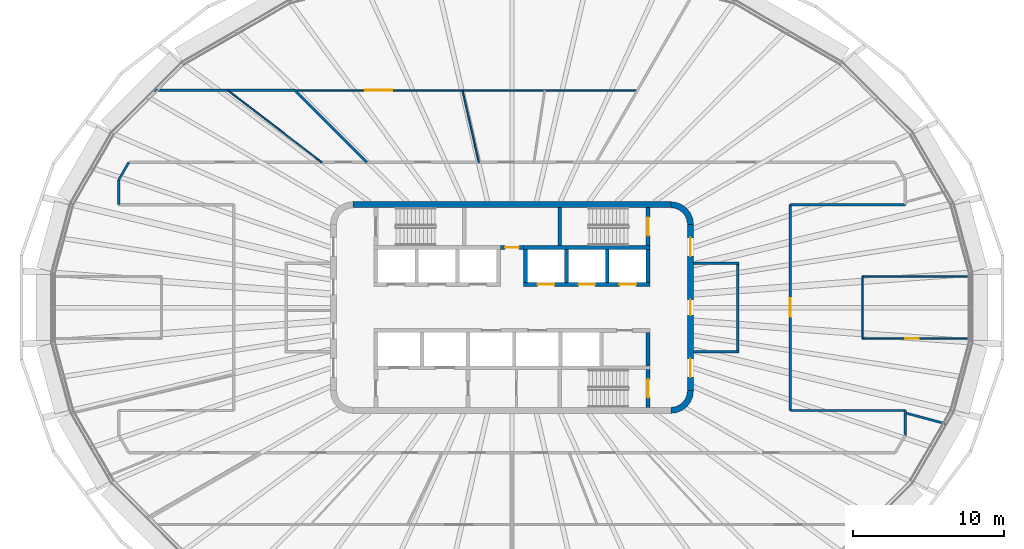
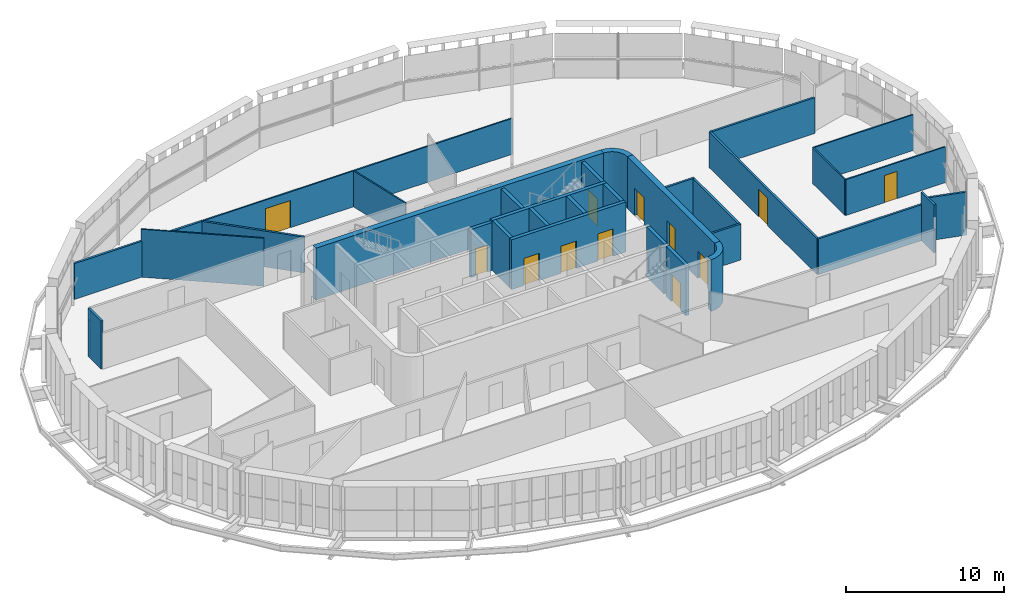
# One storey, part 11 of 19: 33 walls, 12 doors, 12 openings.
"""IFC4 building model written with IfcOpenShell, lengths in metres."""

from ifc_helpers import new_model, si_unit, direction, frame, frame_2d, origin, place, context, subcontext, project, spatial, polyline, rectangle, outline, extrude, material, layer, layer_set, type_object, element, fill, save


model = new_model("IFC4")

# Units and contexts
model_context = context("Model", 3, precision=1e-05, world=origin(), true_north=direction((0.0, 1.0)))
body_context = subcontext(model_context, "Body", "Model", "MODEL_VIEW")
ifc_project = project(units=[si_unit("LENGTHUNIT", "METRE"), si_unit("AREAUNIT", "SQUARE_METRE"), si_unit("VOLUMEUNIT", "CUBIC_METRE"), si_unit("PLANEANGLEUNIT", "RADIAN"), si_unit("MASSUNIT", "GRAM", prefix="KILO")], contexts=[model_context])

# Site, building, storey
site_placement = place(None, origin())
site = spatial("IfcSite", under=ifc_project, at=site_placement, CompositionType="ELEMENT")
building_placement = place(site_placement, origin())
building = spatial("IfcBuilding", under=site, at=building_placement, Name="Sahrelin Media Tower", CompositionType="ELEMENT")
storey_placement = place(building_placement, frame((0.0, 0.0, 241.60009765625)))
storey = spatial("IfcBuildingStorey", under=building, at=storey_placement, Name="L52", CompositionType="ELEMENT", Elevation=241.60009765625)

# Wall
ifc_material_1 = material(Name="Concrete C60/75", Category="concrete")
ifc_layer_1 = layer(ifc_material_1, 0.39990234375)
ifc_layer_set_1 = layer_set([ifc_layer_1], Name="Core wall 400")
wall_type_1 = type_object("IfcWallType", Name="Core wall 400", PredefinedType="SHEAR", material=ifc_layer_set_1)
wall_1_placement = place(storey_placement, frame((-10.5, 6.800048828125, 0.0), z_axis=(0.0, 0.0, 1.0), x_axis=(1.0, 0.0, 0.0)))
element("IfcWall", 1, at=wall_1_placement, inside=storey, type_object=wall_type_1, Name="Core wall N L52", PredefinedType="SHEAR", context=body_context, shape_type="SweptSolid", body=[
    extrude(rectangle(XDim=21.0, YDim=0.39990234375, at=frame_2d((10.5, 0.0))), origin(), (0.0, 0.0, 1.0), 4.0),
])

# Wall, openings, doors
wall_2_placement = place(storey_placement, frame((11.800048828125, -5.5, 0.0), z_axis=(0.0, 0.0, 1.0), x_axis=(0.0, 1.0, 0.0)))
wall_2 = element("IfcWall", 2, at=wall_2_placement, inside=storey, type_object=wall_type_1, Name="Core wall E L52", PredefinedType="SHEAR", context=body_context, shape_type="SweptSolid", body=[
    extrude(rectangle(XDim=11.0, YDim=0.39990234375, at=frame_2d((5.5, 0.0))), origin(), (0.0, 0.0, 1.0), 4.0),
])
opening_1_placement = place(wall_2_placement, frame((5.0, 0.0, 0.0)))
opening_1 = element("IfcOpeningElement", 3, at=opening_1_placement, cuts=wall_2, Name="Opening L52-D11", PredefinedType="OPENING", context=body_context, shape_type="SweptSolid", body=[
    extrude(rectangle(XDim=1.0, YDim=2.10009765625, at=frame_2d((0.5, 1.050048828125))), frame((0.0, 0.199951171875, 0.0), z_axis=(0.0, -1.0, 0.0), x_axis=(1.0, 0.0, 0.0)), (0.0, 0.0, 1.0), 0.39990234375),
])
opening_2_placement = place(wall_2_placement, frame((0.89990234375, 0.0, 0.0)))
opening_2 = element("IfcOpeningElement", 4, at=opening_2_placement, cuts=wall_2, Name="Opening L52-D14", PredefinedType="OPENING", context=body_context, shape_type="SweptSolid", body=[
    extrude(rectangle(XDim=1.199951171875, YDim=2.10009765625, at=frame_2d((0.60009765625, 1.050048828125))), frame((0.0, 0.199951171875, 0.0), z_axis=(0.0, -1.0, 0.0), x_axis=(1.0, 0.0, 0.0)), (0.0, 0.0, 1.0), 0.39990234375),
])
opening_3_placement = place(wall_2_placement, frame((8.89990234375, 0.0, 0.0)))
opening_3 = element("IfcOpeningElement", 5, at=opening_3_placement, cuts=wall_2, Name="Opening L52-D15", PredefinedType="OPENING", context=body_context, shape_type="SweptSolid", body=[
    extrude(rectangle(XDim=1.199951171875, YDim=2.10009765625, at=frame_2d((0.60009765625, 1.050048828125))), frame((0.0, 0.199951171875, 0.0), z_axis=(0.0, -1.0, 0.0), x_axis=(1.0, 0.0, 0.0)), (0.0, 0.0, 1.0), 0.39990234375),
])
ifc_material_2 = material(Name="Steel fire door leaf", Category="steel")
door_type_1 = type_object("IfcDoorType", Name="Fire door 1000 x 2100 EI 60", OperationType="NOTDEFINED", PredefinedType="DOOR", material=ifc_material_2)
door_1_placement = place(opening_1_placement, origin())
door_1 = element("IfcDoor", 6, at=door_1_placement, inside=storey, type_object=door_type_1, Name="Core room door", OperationType="SINGLE_SWING_RIGHT", OverallHeight=2.10009765625, OverallWidth=1.0, PredefinedType="DOOR", context=body_context, shape_type="SweptSolid", body=[
    extrude(rectangle(XDim=1.0, YDim=2.10009765625, at=frame_2d((0.5, 1.050048828125))), frame((0.0, 0.02490234375, 0.0), z_axis=(0.0, -1.0, 0.0), x_axis=(1.0, 0.0, 0.0)), (0.0, 0.0, 1.0), 0.050048828125),
])
fill(opening_1, door_1)
door_type_2 = type_object("IfcDoorType", Name="Lobby door 1200 x 2100 EI 60", OperationType="NOTDEFINED", PredefinedType="DOOR", material=ifc_material_2)
door_2_placement = place(opening_2_placement, origin())
door_2 = element("IfcDoor", 7, at=door_2_placement, inside=storey, type_object=door_type_2, Name="Lobby door", OperationType="SINGLE_SWING_LEFT", OverallHeight=2.10009765625, OverallWidth=1.199951171875, PredefinedType="DOOR", context=body_context, shape_type="SweptSolid", body=[
    extrude(rectangle(XDim=1.199951171875, YDim=2.10009765625, at=frame_2d((0.60009765625, 1.050048828125))), frame((0.0, 0.02490234375, 0.0), z_axis=(0.0, -1.0, 0.0), x_axis=(1.0, 0.0, 0.0)), (0.0, 0.0, 1.0), 0.050048828125),
])
fill(opening_2, door_2)
door_3_placement = place(opening_3_placement, origin())
door_3 = element("IfcDoor", 8, at=door_3_placement, inside=storey, type_object=door_type_2, Name="Lobby door", OperationType="SINGLE_SWING_LEFT", OverallHeight=2.10009765625, OverallWidth=1.199951171875, PredefinedType="DOOR", context=body_context, shape_type="SweptSolid", body=[
    extrude(rectangle(XDim=1.199951171875, YDim=2.10009765625, at=frame_2d((0.60009765625, 1.050048828125))), frame((0.0, 0.02490234375, 0.0), z_axis=(0.0, -1.0, 0.0), x_axis=(1.0, 0.0, 0.0)), (0.0, 0.0, 1.0), 0.050048828125),
])
fill(opening_3, door_3)

# Walls
placement = place(storey_placement, origin())
element("IfcWall", 9, at=placement, inside=storey, type_object=wall_type_1, Name="Core wall corner NE L52", PredefinedType="SHEAR", context=body_context, shape_type="SweptSolid", body=[
    extrude(outline(polyline([(10.5, 7.0), (10.5, 6.596435546875), (10.78369140625, 6.55908203125), (11.04833984375, 6.44970703125), (11.275390625, 6.275390625), (11.44970703125, 6.04833984375), (11.55908203125, 5.78369140625), (11.596435546875, 5.5), (12.0, 5.5), (11.948974609375, 5.88818359375), (11.799072265625, 6.25), (11.560791015625, 6.560791015625), (11.25, 6.799072265625), (10.88818359375, 6.948974609375), (10.5, 7.0)])), origin(), (0.0, 0.0, 1.0), 4.0),
])
element("IfcWall", 10, at=placement, inside=storey, type_object=wall_type_1, Name="Core wall corner SE L52", PredefinedType="SHEAR", context=body_context, shape_type="SweptSolid", body=[
    extrude(outline(polyline([(12.0, -5.5), (11.596435546875, -5.5), (11.55908203125, -5.78369140625), (11.44970703125, -6.04833984375), (11.275390625, -6.275390625), (11.04833984375, -6.44970703125), (10.78369140625, -6.55908203125), (10.5, -6.596435546875), (10.5, -7.0), (10.88818359375, -6.948974609375), (11.25, -6.799072265625), (11.560791015625, -6.560791015625), (11.799072265625, -6.25), (11.948974609375, -5.88818359375), (12.0, -5.5)])), origin(), (0.0, 0.0, 1.0), 4.0),
])

# Wall, opening, door
ifc_material_3 = material(Name="Fire-rated gypsum board partition")
ifc_layer_2 = layer(ifc_material_3, 0.25)
ifc_layer_set_2 = layer_set([ifc_layer_2], Name="Fire-rated lobby wall 250")
wall_type_2 = type_object("IfcWallType", Name="Fire-rated lobby wall 250", PredefinedType="PARTITIONING", material=ifc_layer_set_2)
wall_5_placement = place(storey_placement, frame((-0.77490234375, 3.97509765625, 0.0), z_axis=(0.0, 0.0, 1.0), x_axis=(1.0, 0.0, 0.0)))
wall_5 = element("IfcWall", 11, at=wall_5_placement, inside=storey, type_object=wall_type_2, Name="Core lobby wall", PredefinedType="PARTITIONING", context=body_context, shape_type="SweptSolid", body=[
    extrude(rectangle(XDim=1.5498046875, YDim=0.25, at=frame_2d((0.77490234375, 0.0))), origin(), (0.0, 0.0, 1.0), 3.699951171875),
])
opening_4_placement = place(wall_5_placement, frame((0.324951171875, 0.0, 0.0)))
opening_4 = element("IfcOpeningElement", 12, at=opening_4_placement, cuts=wall_5, Name="Opening L52-D06", PredefinedType="OPENING", context=body_context, shape_type="SweptSolid", body=[
    extrude(rectangle(XDim=0.89990234375, YDim=2.10009765625, at=frame_2d((0.449951171875, 1.050048828125))), frame((0.0, 0.125, 0.0), z_axis=(0.0, -1.0, 0.0), x_axis=(1.0, 0.0, 0.0)), (0.0, 0.0, 1.0), 0.25),
])
door_type_3 = type_object("IfcDoorType", Name="Riser door 900 x 2100 EI 120", OperationType="NOTDEFINED", PredefinedType="DOOR", material=ifc_material_2)
door_4_placement = place(opening_4_placement, origin())
door_4 = element("IfcDoor", 13, at=door_4_placement, inside=storey, type_object=door_type_3, Name="Core room door", OperationType="SINGLE_SWING_LEFT", OverallHeight=2.10009765625, OverallWidth=0.89990234375, PredefinedType="DOOR", context=body_context, shape_type="SweptSolid", body=[
    extrude(rectangle(XDim=0.89990234375, YDim=2.10009765625, at=frame_2d((0.449951171875, 1.050048828125))), frame((0.0, 0.02490234375, 0.0), z_axis=(0.0, -1.0, 0.0), x_axis=(1.0, 0.0, 0.0)), (0.0, 0.0, 1.0), 0.050048828125),
])
fill(opening_4, door_4)

# Walls
ifc_layer_3 = layer(ifc_material_3, 0.14990234375)
ifc_layer_set_3 = layer_set([ifc_layer_3], Name="Fire-rated partition 150")
wall_type_3 = type_object("IfcWallType", Name="Fire-rated partition 150", PredefinedType="PARTITIONING", material=ifc_layer_set_3)
wall_6_placement = place(storey_placement, frame((14.925048828125, -2.85009765625, 0.0), z_axis=(0.0, 0.0, 1.0), x_axis=(0.0, 1.0, 0.0)))
element("IfcWall", 14, at=wall_6_placement, inside=storey, type_object=wall_type_3, Name="Core room fire partition", PredefinedType="PARTITIONING", context=body_context, shape_type="SweptSolid", body=[
    extrude(rectangle(XDim=5.7001953125, YDim=0.14990234375, at=frame_2d((2.85009765625, 0.0))), origin(), (0.0, 0.0, 1.0), 2.76806640625),
])
for number, where, z_axis, x_axis, name in (
    (15, (12.0, 2.925048828125, 0.0), (0.0, 0.0, 1.0), (1.0, 0.0, 0.0), "Core room fire partition"),
    (16, (12.0, -2.925048828125, 0.0), (0.0, 0.0, 1.0), (1.0, 0.0, 0.0), "Core room fire partition"),
):
    element("IfcWall", number, at=place(storey_placement, frame(where, z_axis=z_axis, x_axis=x_axis)), inside=storey, type_object=wall_type_3, Name=name, PredefinedType="PARTITIONING", context=body_context, shape_type="SweptSolid", body=[
        extrude(rectangle(XDim=3.0, YDim=0.14990234375, at=frame_2d((1.5, 0.0))), origin(), (0.0, 0.0, 1.0), 2.76806640625),
    ])
wall_7_placement = place(storey_placement, frame((-14.360107421875, 14.360107421875, 0.0), z_axis=(0.0, 0.0, 1.0), x_axis=(0.707106781187, -0.707106781187, 0.0)))
element("IfcWall", 17, at=wall_7_placement, inside=storey, type_object=wall_type_3, Name="Wall", PredefinedType="PARTITIONING", context=body_context, shape_type="SweptSolid", body=[
    extrude(rectangle(XDim=6.731689453125, YDim=0.14990234375, at=frame_2d((3.36572265625, 0.0))), origin(), (0.0, 0.0, 1.0), 2.76806640625),
])
wall_8_placement = place(storey_placement, frame((26.0, -6.967041015625, 0.0), z_axis=(0.0, 0.0, 1.0), x_axis=(0.965928451997, -0.258809245628, 0.0)))
element("IfcWall", 18, at=wall_8_placement, inside=storey, type_object=wall_type_3, Name="Wall", PredefinedType="PARTITIONING", context=body_context, shape_type="SweptSolid", body=[
    extrude(rectangle(XDim=2.835693359375, YDim=0.14990234375, at=frame_2d((1.41796875, 0.0))), origin(), (0.0, 0.0, 1.0), 3.324951171875),
])
for number, where, z_axis, x_axis, name in (
    (19, (18.39990234375, -6.800048828125, 0.0), (0.0, 0.0, 1.0), (1.0, 0.0, 0.0), "Wall"),
    (20, (18.39990234375, 6.800048828125, 0.0), (0.0, 0.0, 1.0), (1.0, 0.0, 0.0), "Wall"),
):
    element("IfcWall", number, at=place(storey_placement, frame(where, z_axis=z_axis, x_axis=x_axis)), inside=storey, type_object=wall_type_3, Name=name, PredefinedType="PARTITIONING", context=body_context, shape_type="SweptSolid", body=[
        extrude(rectangle(XDim=7.60009765625, YDim=0.14990234375, at=frame_2d((3.800048828125, 0.0))), origin(), (0.0, 0.0, 1.0), 2.76806640625),
    ])
wall_9_placement = place(storey_placement, frame((-23.7099609375, 14.360107421875, 0.0), z_axis=(0.0, 0.0, 1.0), x_axis=(1.0, 0.0, 0.0)))
element("IfcWall", 21, at=wall_9_placement, inside=storey, type_object=wall_type_3, Name="Wall", PredefinedType="PARTITIONING", context=body_context, shape_type="SweptSolid", body=[
    extrude(rectangle(XDim=9.349853515625, YDim=0.14990234375, at=frame_2d((4.6748046875, 0.0))), origin(), (0.0, 0.0, 1.0), 2.76806640625),
])
wall_10_placement = place(storey_placement, frame((-26.0, 8.445068359375, 0.0), z_axis=(0.0, 0.0, 1.0), x_axis=(0.500076310463, 0.865981341435, 0.0)))
element("IfcWall", 22, at=wall_10_placement, inside=storey, type_object=wall_type_3, Name="Wall", PredefinedType="PARTITIONING", context=body_context, shape_type="SweptSolid", body=[
    extrude(rectangle(XDim=1.333740234375, YDim=0.14990234375, at=frame_2d((0.6669921875, 0.0))), origin(), (0.0, 0.0, 1.0), 2.76806640625),
])
wall_11_placement = place(storey_placement, frame((26.0, -8.445068359375, 0.0), z_axis=(0.0, 0.0, 1.0), x_axis=(0.0, 1.0, 0.0)))
element("IfcWall", 23, at=wall_11_placement, inside=storey, type_object=wall_type_3, Name="Wall", PredefinedType="PARTITIONING", context=body_context, shape_type="SweptSolid", body=[
    extrude(rectangle(XDim=1.64501953125, YDim=0.14990234375, at=frame_2d((0.822509765625, 0.0))), origin(), (0.0, 0.0, 1.0), 3.699951171875),
])

# Wall, opening, door
wall_12_placement = place(storey_placement, frame((18.39990234375, -6.800048828125, 0.0), z_axis=(0.0, 0.0, 1.0), x_axis=(0.0, 1.0, 0.0)))
wall_12 = element("IfcWall", 24, at=wall_12_placement, inside=storey, type_object=wall_type_3, Name="Wall", PredefinedType="PARTITIONING", context=body_context, shape_type="SweptSolid", body=[
    extrude(rectangle(XDim=13.60009765625, YDim=0.14990234375, at=frame_2d((6.800048828125, 0.0))), origin(), (0.0, 0.0, 1.0), 2.76806640625),
])
opening_5_placement = place(wall_12_placement, frame((6.199951171875, 0.0, 0.0)))
opening_5 = element("IfcOpeningElement", 25, at=opening_5_placement, cuts=wall_12, Name="Opening L52-D16", PredefinedType="OPENING", context=body_context, shape_type="SweptSolid", body=[
    extrude(rectangle(XDim=1.199951171875, YDim=2.10009765625, at=frame_2d((0.60009765625, 1.050048828125))), frame((0.0, 0.074951171875, 0.0), z_axis=(0.0, -1.0, 0.0), x_axis=(1.0, 0.0, 0.0)), (0.0, 0.0, 1.0), 0.14990234375),
])
door_type_4 = type_object("IfcDoorType", Name="Service double door 1200 x 2100 EI 60", OperationType="DOUBLE_DOOR_SINGLE_SWING", PredefinedType="DOOR", material=ifc_material_2)
door_5_placement = place(opening_5_placement, origin())
door_5 = element("IfcDoor", 26, at=door_5_placement, inside=storey, type_object=door_type_4, Name="Service double door", OperationType="DOUBLE_DOOR_SINGLE_SWING", OverallHeight=2.10009765625, OverallWidth=1.199951171875, PredefinedType="DOOR", context=body_context, shape_type="SweptSolid", body=[
    extrude(rectangle(XDim=1.199951171875, YDim=2.10009765625, at=frame_2d((0.60009765625, 1.050048828125))), frame((0.0, 0.02490234375, 0.0), z_axis=(0.0, -1.0, 0.0), x_axis=(1.0, 0.0, 0.0)), (0.0, 0.0, 1.0), 0.050048828125),
])
fill(opening_5, door_5)

# Wall
wall_13_placement = place(storey_placement, frame((-26.0, 6.800048828125, 0.0), z_axis=(0.0, 0.0, 1.0), x_axis=(0.0, 1.0, 0.0)))
element("IfcWall", 27, at=wall_13_placement, inside=storey, type_object=wall_type_3, Name="Wall", PredefinedType="PARTITIONING", context=body_context, shape_type="SweptSolid", body=[
    extrude(rectangle(XDim=1.64501953125, YDim=0.14990234375, at=frame_2d((0.822509765625, 0.0))), origin(), (0.0, 0.0, 1.0), 3.699951171875),
])

# Wall, openings, doors
ifc_layer_4 = layer(ifc_material_1, 0.25)
ifc_layer_set_4 = layer_set([ifc_layer_4], Name="Lift shaft wall 250")
wall_type_4 = type_object("IfcWallType", Name="Lift shaft wall 250", PredefinedType="SOLIDWALL", material=ifc_layer_set_4)
wall_14_placement = place(storey_placement, frame((0.77490234375, 1.52490234375, 0.0), z_axis=(0.0, 0.0, 1.0), x_axis=(1.0, 0.0, 0.0)))
wall_14 = element("IfcWall", 28, at=wall_14_placement, inside=storey, type_object=wall_type_4, Name="Lift shaft wall", PredefinedType="SOLIDWALL", context=body_context, shape_type="SweptSolid", body=[
    extrude(rectangle(XDim=8.35009765625, YDim=0.25, at=frame_2d((4.175048828125, 0.0))), origin(), (0.0, 0.0, 1.0), 3.849853515625),
])
opening_6_placement = place(wall_14_placement, frame((0.925048828125, 0.0, 0.0)))
opening_6 = element("IfcOpeningElement", 29, at=opening_6_placement, cuts=wall_14, Name="Opening L52-LD-HR4", PredefinedType="OPENING", context=body_context, shape_type="SweptSolid", body=[
    extrude(rectangle(XDim=1.10009765625, YDim=2.10009765625, at=frame_2d((0.550048828125, 1.050048828125))), frame((0.0, 0.125, 0.0), z_axis=(0.0, -1.0, 0.0), x_axis=(1.0, 0.0, 0.0)), (0.0, 0.0, 1.0), 0.25),
])
opening_7_placement = place(wall_14_placement, frame((3.625, 0.0, 0.0)))
opening_7 = element("IfcOpeningElement", 30, at=opening_7_placement, cuts=wall_14, Name="Opening L52-LD-HR5", PredefinedType="OPENING", context=body_context, shape_type="SweptSolid", body=[
    extrude(rectangle(XDim=1.10009765625, YDim=2.10009765625, at=frame_2d((0.550048828125, 1.050048828125))), frame((0.0, 0.125, 0.0), z_axis=(0.0, -1.0, 0.0), x_axis=(1.0, 0.0, 0.0)), (0.0, 0.0, 1.0), 0.25),
])
opening_8_placement = place(wall_14_placement, frame((6.324951171875, 0.0, 0.0)))
opening_8 = element("IfcOpeningElement", 31, at=opening_8_placement, cuts=wall_14, Name="Opening L52-LD-HR6", PredefinedType="OPENING", context=body_context, shape_type="SweptSolid", body=[
    extrude(rectangle(XDim=1.10009765625, YDim=2.10009765625, at=frame_2d((0.550048828125, 1.050048828125))), frame((0.0, 0.125, 0.0), z_axis=(0.0, -1.0, 0.0), x_axis=(1.0, 0.0, 0.0)), (0.0, 0.0, 1.0), 0.25),
])
ifc_material_4 = material(Name="Stainless steel", Category="steel")
door_type_5 = type_object("IfcDoorType", Name="Lift landing door 1100 x 2100 EI 120", OperationType="DOUBLE_DOOR_SLIDING", PredefinedType="DOOR", material=ifc_material_4)
door_6_placement = place(opening_6_placement, origin())
door_6 = element("IfcDoor", 32, at=door_6_placement, inside=storey, type_object=door_type_5, Name="Lift landing door HR4", OperationType="DOUBLE_DOOR_SLIDING", OverallHeight=2.10009765625, OverallWidth=1.10009765625, PredefinedType="DOOR", context=body_context, shape_type="SweptSolid", body=[
    extrude(rectangle(XDim=1.10009765625, YDim=2.10009765625, at=frame_2d((0.550048828125, 1.050048828125))), frame((0.0, 0.02490234375, 0.0), z_axis=(0.0, -1.0, 0.0), x_axis=(1.0, 0.0, 0.0)), (0.0, 0.0, 1.0), 0.050048828125),
])
fill(opening_6, door_6)
door_7_placement = place(opening_7_placement, origin())
door_7 = element("IfcDoor", 33, at=door_7_placement, inside=storey, type_object=door_type_5, Name="Lift landing door HR5", OperationType="DOUBLE_DOOR_SLIDING", OverallHeight=2.10009765625, OverallWidth=1.10009765625, PredefinedType="DOOR", context=body_context, shape_type="SweptSolid", body=[
    extrude(rectangle(XDim=1.10009765625, YDim=2.10009765625, at=frame_2d((0.550048828125, 1.050048828125))), frame((0.0, 0.02490234375, 0.0), z_axis=(0.0, -1.0, 0.0), x_axis=(1.0, 0.0, 0.0)), (0.0, 0.0, 1.0), 0.050048828125),
])
fill(opening_7, door_7)
door_8_placement = place(opening_8_placement, origin())
door_8 = element("IfcDoor", 34, at=door_8_placement, inside=storey, type_object=door_type_5, Name="Lift landing door HR6", OperationType="DOUBLE_DOOR_SLIDING", OverallHeight=2.10009765625, OverallWidth=1.10009765625, PredefinedType="DOOR", context=body_context, shape_type="SweptSolid", body=[
    extrude(rectangle(XDim=1.10009765625, YDim=2.10009765625, at=frame_2d((0.550048828125, 1.050048828125))), frame((0.0, 0.02490234375, 0.0), z_axis=(0.0, -1.0, 0.0), x_axis=(1.0, 0.0, 0.0)), (0.0, 0.0, 1.0), 0.050048828125),
])
fill(opening_8, door_8)

# Walls
wall_15_placement = place(storey_placement, frame((0.77490234375, 3.97509765625, 0.0), z_axis=(0.0, 0.0, 1.0), x_axis=(1.0, 0.0, 0.0)))
element("IfcWall", 35, at=wall_15_placement, inside=storey, type_object=wall_type_4, Name="Lift shaft wall", PredefinedType="SOLIDWALL", context=body_context, shape_type="SweptSolid", body=[
    extrude(rectangle(XDim=8.35009765625, YDim=0.25, at=frame_2d((4.175048828125, 0.0))), origin(), (0.0, 0.0, 1.0), 3.849853515625),
])
for number, where, z_axis, x_axis, name in (
    (36, (9.0, 1.64990234375, 0.0), (0.0, 0.0, 1.0), (0.0, 1.0, 0.0), "Lift shaft wall"),
    (37, (6.300048828125, 1.64990234375, 0.0), (0.0, 0.0, 1.0), (0.0, 1.0, 0.0), "Lift shaft wall"),
    (38, (3.60009765625, 1.64990234375, 0.0), (0.0, 0.0, 1.0), (0.0, 1.0, 0.0), "Lift shaft wall"),
    (39, (0.89990234375, 1.64990234375, 0.0), (0.0, 0.0, 1.0), (0.0, 1.0, 0.0), "Lift shaft wall"),
    (40, (9.0, -3.85009765625, 0.0), (0.0, 0.0, 1.0), (0.0, 1.0, 0.0), "Lift shaft wall"),
):
    element("IfcWall", number, at=place(storey_placement, frame(where, z_axis=z_axis, x_axis=x_axis)), inside=storey, type_object=wall_type_4, Name=name, PredefinedType="SOLIDWALL", context=body_context, shape_type="SweptSolid", body=[
        extrude(rectangle(XDim=2.2001953125, YDim=0.25, at=frame_2d((1.10009765625, 0.0))), origin(), (0.0, 0.0, 1.0), 3.849853515625),
    ])
ifc_material_5 = material(Name="Gypsum board partition")
ifc_layer_5 = layer(ifc_material_5, 0.10009765625)
ifc_layer_set_5 = layer_set([ifc_layer_5], Name="Partition 100")
wall_type_5 = type_object("IfcWallType", Name="Partition 100", PredefinedType="PARTITIONING", material=ifc_layer_set_5)
wall_16_placement = place(storey_placement, frame((-3.277099609375, 14.360107421875, 0.0), z_axis=(0.0, 0.0, 1.0), x_axis=(0.222470409815, -0.97493944261, 0.0)))
element("IfcWall", 41, at=wall_16_placement, inside=storey, type_object=wall_type_5, Name="Wall", PredefinedType="PARTITIONING", context=body_context, shape_type="SweptSolid", body=[
    extrude(rectangle(XDim=4.88232421875, YDim=0.10009765625, at=frame_2d((2.441162109375, 0.0))), origin(), (0.0, 0.0, 1.0), 2.76806640625),
])
wall_17_placement = place(storey_placement, frame((-18.797119140625, 14.360107421875, 0.0), z_axis=(0.0, 0.0, 1.0), x_axis=(0.794667043869, -0.607045541445, 0.0)))
element("IfcWall", 42, at=wall_17_placement, inside=storey, type_object=wall_type_5, Name="Wall", PredefinedType="PARTITIONING", context=body_context, shape_type="SweptSolid", body=[
    extrude(rectangle(XDim=7.84130859375, YDim=0.10009765625, at=frame_2d((3.920654296875, 0.0))), origin(), (0.0, 0.0, 1.0), 3.699951171875),
])

# Wall, opening, door
wall_18_placement = place(storey_placement, frame((23.159912109375, -2.0400390625, 0.0), z_axis=(0.0, 0.0, 1.0), x_axis=(1.0, 0.0, 0.0)))
wall_18 = element("IfcWall", 43, at=wall_18_placement, inside=storey, type_object=wall_type_5, Name="Wall", PredefinedType="PARTITIONING", context=body_context, shape_type="SweptSolid", body=[
    extrude(rectangle(XDim=7.2900390625, YDim=0.10009765625, at=frame_2d((3.64501953125, 0.0))), origin(), (0.0, 0.0, 1.0), 2.76806640625),
])
opening_9_placement = place(wall_18_placement, frame((2.8388671875, 0.0, 0.0)))
opening_9 = element("IfcOpeningElement", 44, at=opening_9_placement, cuts=wall_18, Name="Opening L52-D18", PredefinedType="OPENING", context=body_context, shape_type="SweptSolid", body=[
    extrude(rectangle(XDim=0.89990234375, YDim=2.10009765625, at=frame_2d((0.449951171875, 1.050048828125))), frame((0.0, 0.050048828125, 0.0), z_axis=(0.0, -1.0, 0.0), x_axis=(1.0, 0.0, 0.0)), (0.0, 0.0, 1.0), 0.10009765625),
])
ifc_material_6 = material(Name="Timber door leaf", Category="wood")
door_type_6 = type_object("IfcDoorType", Name="Single door 900 x 2100", OperationType="NOTDEFINED", PredefinedType="DOOR", material=ifc_material_6)
door_9_placement = place(opening_9_placement, origin())
door_9 = element("IfcDoor", 45, at=door_9_placement, inside=storey, type_object=door_type_6, Name="Single door", OperationType="SINGLE_SWING_RIGHT", OverallHeight=2.10009765625, OverallWidth=0.89990234375, PredefinedType="DOOR", context=body_context, shape_type="SweptSolid", body=[
    extrude(rectangle(XDim=0.89990234375, YDim=2.10009765625, at=frame_2d((0.449951171875, 1.050048828125))), frame((0.0, 0.02490234375, 0.0), z_axis=(0.0, -1.0, 0.0), x_axis=(1.0, 0.0, 0.0)), (0.0, 0.0, 1.0), 0.050048828125),
])
fill(opening_9, door_9)

# Wall
wall_19_placement = place(storey_placement, frame((23.159912109375, 2.0400390625, 0.0), z_axis=(0.0, 0.0, 1.0), x_axis=(1.0, 0.0, 0.0)))
element("IfcWall", 46, at=wall_19_placement, inside=storey, type_object=wall_type_5, Name="Wall", PredefinedType="PARTITIONING", context=body_context, shape_type="SweptSolid", body=[
    extrude(rectangle(XDim=7.2900390625, YDim=0.10009765625, at=frame_2d((3.64501953125, 0.0))), origin(), (0.0, 0.0, 1.0), 2.76806640625),
])

# Wall, opening, door
wall_20_placement = place(storey_placement, frame((-14.360107421875, 14.360107421875, 0.0), z_axis=(0.0, 0.0, 1.0), x_axis=(1.0, 0.0, 0.0)))
wall_20 = element("IfcWall", 47, at=wall_20_placement, inside=storey, type_object=wall_type_5, Name="Wall", PredefinedType="PARTITIONING", context=body_context, shape_type="SweptSolid", body=[
    extrude(rectangle(XDim=22.651123046875, YDim=0.10009765625, at=frame_2d((11.32568359375, 0.0))), origin(), (0.0, 0.0, 1.0), 2.76806640625),
])
opening_10_placement = place(wall_20_placement, frame((4.6416015625, 0.0, 0.0)))
opening_10 = element("IfcOpeningElement", 48, at=opening_10_placement, cuts=wall_20, Name="Opening L52-D22", PredefinedType="OPENING", context=body_context, shape_type="SweptSolid", body=[
    extrude(rectangle(XDim=1.800048828125, YDim=2.10009765625, at=frame_2d((0.89990234375, 1.050048828125))), frame((0.0, 0.050048828125, 0.0), z_axis=(0.0, -1.0, 0.0), x_axis=(1.0, 0.0, 0.0)), (0.0, 0.0, 1.0), 0.10009765625),
])
door_type_7 = type_object("IfcDoorType", Name="Double door 1800 x 2100", OperationType="DOUBLE_DOOR_SINGLE_SWING", PredefinedType="DOOR", material=ifc_material_6)
door_10_placement = place(opening_10_placement, origin())
door_10 = element("IfcDoor", 49, at=door_10_placement, inside=storey, type_object=door_type_7, Name="Double door", OperationType="DOUBLE_DOOR_SINGLE_SWING", OverallHeight=2.10009765625, OverallWidth=1.800048828125, PredefinedType="DOOR", context=body_context, shape_type="SweptSolid", body=[
    extrude(rectangle(XDim=1.800048828125, YDim=2.10009765625, at=frame_2d((0.89990234375, 1.050048828125))), frame((0.0, 0.02490234375, 0.0), z_axis=(0.0, -1.0, 0.0), x_axis=(1.0, 0.0, 0.0)), (0.0, 0.0, 1.0), 0.050048828125),
])
fill(opening_10, door_10)

# Wall
wall_21_placement = place(storey_placement, frame((23.159912109375, -2.0400390625, 0.0), z_axis=(0.0, 0.0, 1.0), x_axis=(0.0, 1.0, 0.0)))
element("IfcWall", 50, at=wall_21_placement, inside=storey, type_object=wall_type_5, Name="Wall", PredefinedType="PARTITIONING", context=body_context, shape_type="SweptSolid", body=[
    extrude(rectangle(XDim=4.080078125, YDim=0.10009765625, at=frame_2d((2.0400390625, 0.0))), origin(), (0.0, 0.0, 1.0), 2.76806640625),
])

# Wall, opening, door
ifc_layer_6 = layer(ifc_material_1, 0.25)
ifc_layer_set_6 = layer_set([ifc_layer_6], Name="Stair enclosure wall 250")
wall_type_6 = type_object("IfcWallType", Name="Stair enclosure wall 250", PredefinedType="SOLIDWALL", material=ifc_layer_set_6)
wall_22_placement = place(storey_placement, frame((9.0, 4.10009765625, 0.0), z_axis=(0.0, 0.0, 1.0), x_axis=(0.0, 1.0, 0.0)))
wall_22 = element("IfcWall", 51, at=wall_22_placement, inside=storey, type_object=wall_type_6, Name="Stair enclosure wall", PredefinedType="SOLIDWALL", context=body_context, shape_type="SweptSolid", body=[
    extrude(rectangle(XDim=2.5, YDim=0.25, at=frame_2d((1.25, 0.0))), origin(), (0.0, 0.0, 1.0), 3.849853515625),
])
opening_11_placement = place(wall_22_placement, frame((0.64990234375, 0.0, 0.0)))
opening_11 = element("IfcOpeningElement", 52, at=opening_11_placement, cuts=wall_22, Name="Opening L52-D02", PredefinedType="OPENING", context=body_context, shape_type="SweptSolid", body=[
    extrude(rectangle(XDim=1.199951171875, YDim=2.10009765625, at=frame_2d((0.60009765625, 1.050048828125))), frame((0.0, 0.125, 0.0), z_axis=(0.0, -1.0, 0.0), x_axis=(1.0, 0.0, 0.0)), (0.0, 0.0, 1.0), 0.25),
])
door_type_8 = type_object("IfcDoorType", Name="Stair door 1200 x 2100 EI 120", OperationType="NOTDEFINED", PredefinedType="DOOR", material=ifc_material_2)
door_11_placement = place(opening_11_placement, origin())
door_11 = element("IfcDoor", 53, at=door_11_placement, inside=storey, type_object=door_type_8, Name="Stair door ST3", OperationType="SINGLE_SWING_LEFT", OverallHeight=2.10009765625, OverallWidth=1.199951171875, PredefinedType="DOOR", context=body_context, shape_type="SweptSolid", body=[
    extrude(rectangle(XDim=1.199951171875, YDim=2.10009765625, at=frame_2d((0.60009765625, 1.050048828125))), frame((0.0, 0.02490234375, 0.0), z_axis=(0.0, -1.0, 0.0), x_axis=(1.0, 0.0, 0.0)), (0.0, 0.0, 1.0), 0.050048828125),
])
fill(opening_11, door_11)

wall_23_placement = place(storey_placement, frame((9.0, -6.60009765625, 0.0), z_axis=(0.0, 0.0, 1.0), x_axis=(0.0, 1.0, 0.0)))
wall_23 = element("IfcWall", 54, at=wall_23_placement, inside=storey, type_object=wall_type_6, Name="Stair enclosure wall", PredefinedType="SOLIDWALL", context=body_context, shape_type="SweptSolid", body=[
    extrude(rectangle(XDim=2.5, YDim=0.25, at=frame_2d((1.25, 0.0))), origin(), (0.0, 0.0, 1.0), 3.849853515625),
])
opening_12_placement = place(wall_23_placement, frame((0.64990234375, 0.0, 0.0)))
opening_12 = element("IfcOpeningElement", 55, at=opening_12_placement, cuts=wall_23, Name="Opening L52-D03", PredefinedType="OPENING", context=body_context, shape_type="SweptSolid", body=[
    extrude(rectangle(XDim=1.199951171875, YDim=2.10009765625, at=frame_2d((0.60009765625, 1.050048828125))), frame((0.0, 0.125, 0.0), z_axis=(0.0, -1.0, 0.0), x_axis=(1.0, 0.0, 0.0)), (0.0, 0.0, 1.0), 0.25),
])
door_12_placement = place(opening_12_placement, origin())
door_12 = element("IfcDoor", 56, at=door_12_placement, inside=storey, type_object=door_type_8, Name="Stair door ST2", OperationType="SINGLE_SWING_LEFT", OverallHeight=2.10009765625, OverallWidth=1.199951171875, PredefinedType="DOOR", context=body_context, shape_type="SweptSolid", body=[
    extrude(rectangle(XDim=1.199951171875, YDim=2.10009765625, at=frame_2d((0.60009765625, 1.050048828125))), frame((0.0, 0.02490234375, 0.0), z_axis=(0.0, -1.0, 0.0), x_axis=(1.0, 0.0, 0.0)), (0.0, 0.0, 1.0), 0.050048828125),
])
fill(opening_12, door_12)

# Wall
wall_24_placement = place(storey_placement, frame((3.14990234375, 4.10009765625, 0.0), z_axis=(0.0, 0.0, 1.0), x_axis=(0.0, 1.0, 0.0)))
element("IfcWall", 57, at=wall_24_placement, inside=storey, type_object=wall_type_6, Name="Stair enclosure wall", PredefinedType="SOLIDWALL", context=body_context, shape_type="SweptSolid", body=[
    extrude(rectangle(XDim=2.5, YDim=0.25, at=frame_2d((1.25, 0.0))), origin(), (0.0, 0.0, 1.0), 3.849853515625),
])

save(model, "model.ifc")
